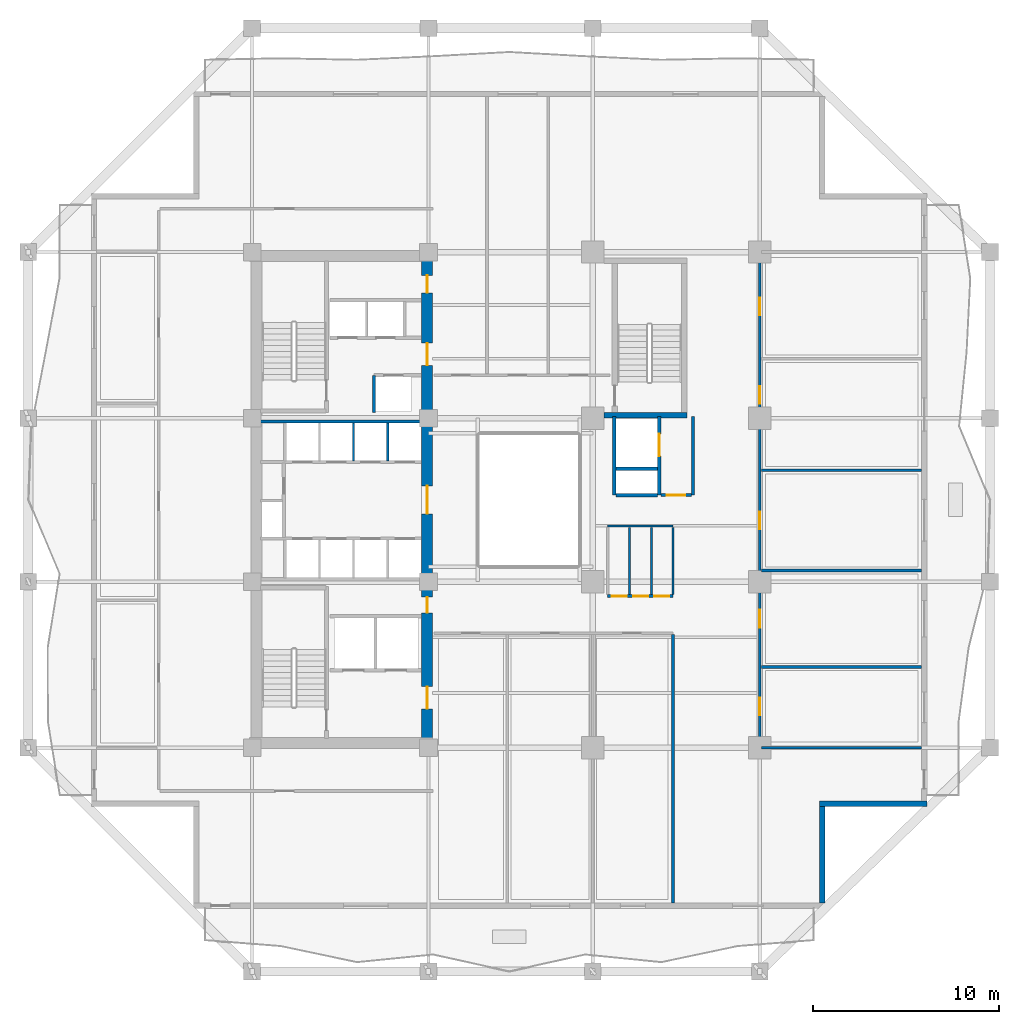
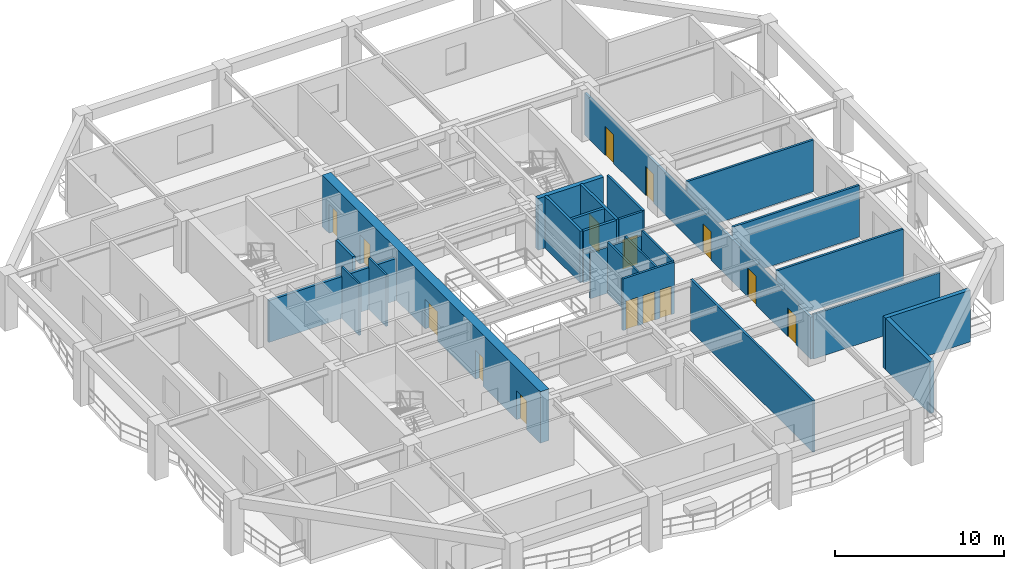
# One storey, part 4 of 13: 25 walls, 15 doors, 15 openings.
"""IFC4 building model written with IfcOpenShell, lengths in metres."""

from ifc_helpers import new_model, si_unit, direction, frame, frame_2d, origin, place, context, subcontext, project, spatial, rectangle, extrude, material, layer, layer_set, type_object, element, fill, save


model = new_model("IFC4")

# Units and contexts
model_context = context("Model", 3, precision=1e-05, world=origin(), true_north=direction((0.0, 1.0)))
body_context = subcontext(model_context, "Body", "Model", "MODEL_VIEW")
ifc_project = project(units=[si_unit("LENGTHUNIT", "METRE"), si_unit("AREAUNIT", "SQUARE_METRE"), si_unit("VOLUMEUNIT", "CUBIC_METRE"), si_unit("PLANEANGLEUNIT", "RADIAN"), si_unit("MASSUNIT", "GRAM", prefix="KILO")], contexts=[model_context])

# Site, building, storey
site_placement = place(None, origin())
site = spatial("IfcSite", under=ifc_project, at=site_placement, CompositionType="ELEMENT")
building_placement = place(site_placement, origin())
building = spatial("IfcBuilding", under=site, at=building_placement, Name="Kundavana Baori Tower", CompositionType="ELEMENT")
storey_placement = place(building_placement, frame((0.0, 0.0, 54.0)))
storey = spatial("IfcBuildingStorey", under=building, at=storey_placement, Name="L12", CompositionType="ELEMENT", Elevation=54.0)

# Wall, openings, doors
ifc_material_1 = material(Name="Concrete C60/75", Category="concrete")
ifc_layer_1 = layer(ifc_material_1, 0.60009765625, Name="WL-CORE-600")
ifc_layer_set_1 = layer_set([ifc_layer_1], Name="Concrete C60/75")
wall_type_1 = type_object("IfcWallType", Name="WL-CORE-600", PredefinedType="SHEAR", material=ifc_layer_set_1)
wall_1_placement = place(storey_placement, frame((24.8798828125, 15.739990234375, 0.0), z_axis=(0.0, 0.0, 1.0), x_axis=(0.0, 1.0, 0.0)))
wall_1 = element("IfcWall", 1, at=wall_1_placement, inside=storey, type_object=wall_type_1, Name="L12 Offset Core East Shear Wall", PredefinedType="SHEAR", context=body_context, shape_type="SweptSolid", body=[
    extrude(rectangle(XDim=25.760009765625, YDim=0.60009765625, at=frame_2d((12.8798828125, 0.0))), origin(), (0.0, 0.0, 1.0), 3.719970703125),
])
opening_1_placement = place(wall_1_placement, frame((1.610107421875, 0.0, 0.0)))
opening_1 = element("IfcOpeningElement", 2, at=opening_1_placement, cuts=wall_1, Name="Opening FD-120", PredefinedType="OPENING", context=body_context, shape_type="SweptSolid", body=[
    extrude(rectangle(XDim=1.199951171875, YDim=2.10009765625, at=frame_2d((0.60009765625, 1.050048828125))), frame((0.0, 0.31005859375, 0.0), z_axis=(0.0, -1.0, 0.0), x_axis=(1.0, 0.0, 0.0)), (0.0, 0.0, 1.0), 0.6201171875),
])
opening_2_placement = place(wall_1_placement, frame((6.780029296875, 0.0, 0.0)))
opening_2 = element("IfcOpeningElement", 3, at=opening_2_placement, cuts=wall_1, Name="Opening FD-085", PredefinedType="OPENING", context=body_context, shape_type="SweptSolid", body=[
    extrude(rectangle(XDim=0.85009765625, YDim=2.06005859375, at=frame_2d((0.425048828125, 1.030029296875))), frame((0.0, 0.31005859375, 0.0), z_axis=(0.0, -1.0, 0.0), x_axis=(1.0, 0.0, 0.0)), (0.0, 0.0, 1.0), 0.6201171875),
])
opening_3_placement = place(wall_1_placement, frame((12.110107421875, 0.0, 0.0)))
opening_3 = element("IfcOpeningElement", 4, at=opening_3_placement, cuts=wall_1, Name="Opening FD-150", PredefinedType="OPENING", context=body_context, shape_type="SweptSolid", body=[
    extrude(rectangle(XDim=1.5, YDim=2.1201171875, at=frame_2d((0.75, 1.06005859375))), frame((0.0, 0.31005859375, 0.0), z_axis=(0.0, -1.0, 0.0), x_axis=(1.0, 0.0, 0.0)), (0.0, 0.0, 1.0), 0.6201171875),
])
opening_4_placement = place(wall_1_placement, frame((20.110107421875, 0.0, 0.0)))
opening_4 = element("IfcOpeningElement", 5, at=opening_4_placement, cuts=wall_1, Name="Opening FD-122", PredefinedType="OPENING", context=body_context, shape_type="SweptSolid", body=[
    extrude(rectangle(XDim=1.199951171875, YDim=2.1201171875, at=frame_2d((0.60009765625, 1.06005859375))), frame((0.0, 0.31005859375, 0.0), z_axis=(0.0, -1.0, 0.0), x_axis=(1.0, 0.0, 0.0)), (0.0, 0.0, 1.0), 0.6201171875),
])
opening_5_placement = place(wall_1_placement, frame((24.010009765625, 0.0, 0.0)))
opening_5 = element("IfcOpeningElement", 6, at=opening_5_placement, cuts=wall_1, Name="Opening FD-095", PredefinedType="OPENING", context=body_context, shape_type="SweptSolid", body=[
    extrude(rectangle(XDim=0.949951171875, YDim=2.10009765625, at=frame_2d((0.47509765625, 1.050048828125))), frame((0.0, 0.31005859375, 0.0), z_axis=(0.0, -1.0, 0.0), x_axis=(1.0, 0.0, 0.0)), (0.0, 0.0, 1.0), 0.6201171875),
])
ifc_material_2 = material(Name="Galvanised Steel Fire-Rated Door Leaf", Category="steel")
door_type_1 = type_object("IfcDoorType", Name="DR-FD120-1200", OperationType="NOTDEFINED", PredefinedType="DOOR", material=ifc_material_2)
door_1_placement = place(opening_1_placement, frame((1.199951171875, 0.0, 0.0), z_axis=(0.0, 0.0, 1.0), x_axis=(-1.0, 0.0, 0.0)))
door_1 = element("IfcDoor", 7, at=door_1_placement, inside=storey, type_object=door_type_1, Name="DR-L12-FFLOB-E", OperationType="SINGLE_SWING_RIGHT", OverallHeight=2.10009765625, OverallWidth=1.199951171875, PredefinedType="DOOR", context=body_context, shape_type="SweptSolid", body=[
    extrude(rectangle(XDim=1.199951171875, YDim=2.10009765625, at=frame_2d((0.60009765625, 1.050048828125))), frame((0.0, 0.02490234375, 0.0), z_axis=(0.0, -1.0, 0.0), x_axis=(1.0, 0.0, 0.0)), (0.0, 0.0, 1.0), 0.050048828125),
])
fill(opening_1, door_1)
ifc_material_3 = material(Name="Galvanised Steel Fire-Rated Door Leaf", Category="steel")
door_type_2 = type_object("IfcDoorType", Name="DR-FD60-1200", OperationType="NOTDEFINED", PredefinedType="DOOR", material=ifc_material_3)
door_2_placement = place(opening_4_placement, frame((1.199951171875, 0.0, 0.0), z_axis=(0.0, 0.0, 1.0), x_axis=(-1.0, 0.0, 0.0)))
door_2 = element("IfcDoor", 8, at=door_2_placement, inside=storey, type_object=door_type_2, Name="DR-L12-HRLOB-E", OperationType="SINGLE_SWING_RIGHT", OverallHeight=2.1201171875, OverallWidth=1.199951171875, PredefinedType="DOOR", context=body_context, shape_type="SweptSolid", body=[
    extrude(rectangle(XDim=1.199951171875, YDim=2.1201171875, at=frame_2d((0.60009765625, 1.06005859375))), frame((0.0, 0.02490234375, 0.0), z_axis=(0.0, -1.0, 0.0), x_axis=(1.0, 0.0, 0.0)), (0.0, 0.0, 1.0), 0.050048828125),
])
fill(opening_4, door_2)
ifc_material_4 = material(Name="Galvanised Steel Fire-Rated Door Leaf", Category="steel")
door_type_3 = type_object("IfcDoorType", Name="DR-FD60-1500", OperationType="NOTDEFINED", PredefinedType="DOOR", material=ifc_material_4)
door_3_placement = place(opening_3_placement, frame((1.5, 0.0, 0.0), z_axis=(0.0, 0.0, 1.0), x_axis=(-1.0, 0.0, 0.0)))
door_3 = element("IfcDoor", 9, at=door_3_placement, inside=storey, type_object=door_type_3, Name="DR-L12-LIFTHALL-E", OperationType="SINGLE_SWING_LEFT", OverallHeight=2.1201171875, OverallWidth=1.5, PredefinedType="DOOR", context=body_context, shape_type="SweptSolid", body=[
    extrude(rectangle(XDim=1.5, YDim=2.1201171875, at=frame_2d((0.75, 1.06005859375))), frame((0.0, 0.02490234375, 0.0), z_axis=(0.0, -1.0, 0.0), x_axis=(1.0, 0.0, 0.0)), (0.0, 0.0, 1.0), 0.050048828125),
])
fill(opening_3, door_3)
ifc_material_5 = material(Name="Galvanised Steel Fire-Rated Door Leaf", Category="steel")
door_type_4 = type_object("IfcDoorType", Name="DR-FD60-850", OperationType="NOTDEFINED", PredefinedType="DOOR", material=ifc_material_5)
door_4_placement = place(opening_2_placement, frame((0.85009765625, 0.0, 0.0), z_axis=(0.0, 0.0, 1.0), x_axis=(-1.0, 0.0, 0.0)))
door_4 = element("IfcDoor", 10, at=door_4_placement, inside=storey, type_object=door_type_4, Name="DR-L12-CSMK1", OperationType="SINGLE_SWING_LEFT", OverallHeight=2.06005859375, OverallWidth=0.85009765625, PredefinedType="DOOR", context=body_context, shape_type="SweptSolid", body=[
    extrude(rectangle(XDim=0.85009765625, YDim=2.06005859375, at=frame_2d((0.425048828125, 1.030029296875))), frame((0.0, 0.02490234375, 0.0), z_axis=(0.0, -1.0, 0.0), x_axis=(1.0, 0.0, 0.0)), (0.0, 0.0, 1.0), 0.050048828125),
])
fill(opening_2, door_4)
ifc_material_6 = material(Name="Engineered Teak Fire-Rated Timber Door Leaf", Category="wood")
door_type_5 = type_object("IfcDoorType", Name="DR-FD60-950", OperationType="NOTDEFINED", PredefinedType="DOOR", material=ifc_material_6)
door_5_placement = place(opening_5_placement, frame((0.949951171875, 0.0, 0.0), z_axis=(0.0, 0.0, 1.0), x_axis=(-1.0, 0.0, 0.0)))
door_5 = element("IfcDoor", 11, at=door_5_placement, inside=storey, type_object=door_type_5, Name="DR-L12-CSRV1", OperationType="SINGLE_SWING_LEFT", OverallHeight=2.10009765625, OverallWidth=0.949951171875, PredefinedType="DOOR", context=body_context, shape_type="SweptSolid", body=[
    extrude(rectangle(XDim=0.949951171875, YDim=2.10009765625, at=frame_2d((0.47509765625, 1.050048828125))), frame((0.0, 0.02490234375, 0.0), z_axis=(0.0, -1.0, 0.0), x_axis=(1.0, 0.0, 0.0)), (0.0, 0.0, 1.0), 0.050048828125),
])
fill(opening_5, door_5)

# Walls
ifc_material_7 = material(Name="Red-Buff Dholpur Sandstone Cladding on Concrete C40/50", Category="masonry")
ifc_layer_2 = layer(ifc_material_7, 0.280029296875, Name="WL-EXT-SAND-280")
ifc_layer_set_2 = layer_set([ifc_layer_2], Name="Red-Buff Dholpur Sandstone Cladding on Concrete C40/50")
wall_type_2 = type_object("IfcWallType", Name="WL-EXT-SAND-280", PredefinedType="STANDARD", material=ifc_layer_set_2)
wall_2_placement = place(storey_placement, frame((46.159912109375, 6.8798828125, 0.0), z_axis=(0.0, 0.0, 1.0), x_axis=(0.0, 1.0, 0.0)))
element("IfcWall", 12, at=wall_2_placement, inside=storey, type_object=wall_type_2, Name="L12 Exterior Insulated Facade Wall 02", PredefinedType="STANDARD", context=body_context, shape_type="SweptSolid", body=[
    extrude(rectangle(XDim=5.22021484375, YDim=0.280029296875, at=frame_2d((2.610107421875, 0.0))), origin(), (0.0, 0.0, 1.0), 3.719970703125),
])
wall_3_placement = place(storey_placement, frame((46.02001953125, 12.239990234375, 0.0), z_axis=(0.0, 0.0, 1.0), x_axis=(1.0, 0.0, 0.0)))
element("IfcWall", 13, at=wall_3_placement, inside=storey, type_object=wall_type_2, Name="L12 Exterior Insulated Facade Wall 03", PredefinedType="STANDARD", context=body_context, shape_type="SweptSolid", body=[
    extrude(rectangle(XDim=5.780029296875, YDim=0.280029296875, at=frame_2d((2.89013671875, 0.0))), origin(), (0.0, 0.0, 1.0), 3.719970703125),
])
ifc_material_8 = material(Name="Acoustic Gypsum Plasterboard on Galvanised Steel Studs", Category="steel")
ifc_layer_3 = layer(ifc_material_8, 0.1201171875, Name="WL-PART-120")
ifc_layer_set_3 = layer_set([ifc_layer_3], Name="Acoustic Gypsum Plasterboard on Galvanised Steel Studs")
wall_type_3 = type_object("IfcWallType", Name="WL-PART-120", PredefinedType="PARTITIONING", material=ifc_layer_set_3)
for number, where, z_axis, x_axis, name in (
    (14, (20.919921875, 30.699951171875, 0.0), (0.0, 0.0, 1.0), (0.0, 1.0, 0.0), "WL-L12-LPMID-D2"),
    (15, (22.760009765625, 30.699951171875, 0.0), (0.0, 0.0, 1.0), (0.0, 1.0, 0.0), "WL-L12-LPMID-D3"),
):
    element("IfcWall", number, at=place(storey_placement, frame(where, z_axis=z_axis, x_axis=x_axis)), inside=storey, type_object=wall_type_3, Name=name, PredefinedType="PARTITIONING", context=body_context, shape_type="SweptSolid", body=[
        extrude(rectangle(XDim=2.050048828125, YDim=0.1201171875, at=frame_2d((1.02490234375, 0.0))), origin(), (0.0, 0.0, 1.0), 3.719970703125),
    ])
ifc_material_9 = material(Name="Fire-Rated Gypsum Drywall on Galvanised Steel Studs", Category="steel")
ifc_layer_4 = layer(ifc_material_9, 0.14990234375, Name="WL-PART-150")
ifc_layer_set_4 = layer_set([ifc_layer_4], Name="Fire-Rated Gypsum Drywall on Galvanised Steel Studs")
wall_type_4 = type_object("IfcWallType", Name="WL-PART-150", PredefinedType="PARTITIONING", material=ifc_layer_set_4)
wall_4_placement = place(storey_placement, frame((39.199951171875, 28.860107421875, 0.0), z_axis=(0.0, 0.0, 1.0), x_axis=(0.0, 1.0, 0.0)))
element("IfcWall", 16, at=wall_4_placement, inside=storey, type_object=wall_type_4, Name="WL-L12-SVLOB-E", PredefinedType="PARTITIONING", context=body_context, shape_type="SweptSolid", body=[
    extrude(rectangle(XDim=4.219970703125, YDim=0.14990234375, at=frame_2d((2.10986328125, 0.0))), origin(), (0.0, 0.0, 1.0), 3.719970703125),
])

# Wall, opening, door
wall_5_placement = place(storey_placement, frame((37.47998046875, 28.860107421875, 0.0), z_axis=(0.0, 0.0, 1.0), x_axis=(1.0, 0.0, 0.0)))
wall_5 = element("IfcWall", 17, at=wall_5_placement, inside=storey, type_object=wall_type_4, Name="WL-L12-SVLOB-S", PredefinedType="PARTITIONING", context=body_context, shape_type="SweptSolid", body=[
    extrude(rectangle(XDim=1.64013671875, YDim=0.14990234375, at=frame_2d((0.820068359375, 0.0))), origin(), (0.0, 0.0, 1.0), 3.719970703125),
])
opening_6_placement = place(wall_5_placement, frame((0.300048828125, 0.0, 0.0)))
opening_6 = element("IfcOpeningElement", 18, at=opening_6_placement, cuts=wall_5, Name="Opening FD-100", PredefinedType="OPENING", context=body_context, shape_type="SweptSolid", body=[
    extrude(rectangle(XDim=1.0, YDim=2.10009765625, at=frame_2d((0.5, 1.050048828125))), frame((0.0, 0.0849609375, 0.0), z_axis=(0.0, -1.0, 0.0), x_axis=(1.0, 0.0, 0.0)), (0.0, 0.0, 1.0), 0.169921875),
])
ifc_material_10 = material(Name="Engineered Teak Fire-Rated Timber Door Leaf", Category="wood")
door_type_6 = type_object("IfcDoorType", Name="DR-FD60-1000", OperationType="NOTDEFINED", PredefinedType="DOOR", material=ifc_material_10)
door_6_placement = place(opening_6_placement, origin())
door_6 = element("IfcDoor", 19, at=door_6_placement, inside=storey, type_object=door_type_6, Name="DR-L12-SVLOB-OUT", OperationType="SINGLE_SWING_LEFT", OverallHeight=2.10009765625, OverallWidth=1.0, PredefinedType="DOOR", context=body_context, shape_type="SweptSolid", body=[
    extrude(rectangle(XDim=1.0, YDim=2.10009765625, at=frame_2d((0.5, 1.050048828125))), frame((0.0, 0.02490234375, 0.0), z_axis=(0.0, -1.0, 0.0), x_axis=(1.0, 0.0, 0.0)), (0.0, 0.0, 1.0), 0.050048828125),
])
fill(opening_6, door_6)

# Wall
wall_6_placement = place(storey_placement, frame((38.1201171875, 6.8798828125, 0.0), z_axis=(0.0, 0.0, 1.0), x_axis=(0.0, 1.0, 0.0)))
element("IfcWall", 20, at=wall_6_placement, inside=storey, type_object=wall_type_4, Name="WL-L12-OFSEND", PredefinedType="PARTITIONING", context=body_context, shape_type="SweptSolid", body=[
    extrude(rectangle(XDim=14.460205078125, YDim=0.14990234375, at=frame_2d((7.22998046875, 0.0))), origin(), (0.0, 0.0, 1.0), 3.719970703125),
])

# Wall, openings, doors
wall_7_placement = place(storey_placement, frame((34.60009765625, 23.419921875, 0.0), z_axis=(0.0, 0.0, 1.0), x_axis=(1.0, 0.0, 0.0)))
wall_7 = element("IfcWall", 21, at=wall_7_placement, inside=storey, type_object=wall_type_4, Name="WL-L12-OFST", PredefinedType="PARTITIONING", context=body_context, shape_type="SweptSolid", body=[
    extrude(rectangle(XDim=3.52001953125, YDim=0.14990234375, at=frame_2d((1.760009765625, 0.0))), origin(), (0.0, 0.0, 1.0), 3.719970703125),
])
opening_7_placement = place(wall_7_placement, frame((0.219970703125, 0.0, 0.0)))
opening_7 = element("IfcOpeningElement", 22, at=opening_7_placement, cuts=wall_7, Name="Opening WD-080", PredefinedType="OPENING", context=body_context, shape_type="SweptSolid", body=[
    extrude(rectangle(XDim=0.800048828125, YDim=2.050048828125, at=frame_2d((0.39990234375, 1.02490234375))), frame((0.0, 0.0849609375, 0.0), z_axis=(0.0, -1.0, 0.0), x_axis=(1.0, 0.0, 0.0)), (0.0, 0.0, 1.0), 0.169921875),
])
opening_8_placement = place(wall_7_placement, frame((1.3798828125, 0.0, 0.0)))
opening_8 = element("IfcOpeningElement", 23, at=opening_8_placement, cuts=wall_7, Name="Opening WD-080", PredefinedType="OPENING", context=body_context, shape_type="SweptSolid", body=[
    extrude(rectangle(XDim=0.800048828125, YDim=2.050048828125, at=frame_2d((0.39990234375, 1.02490234375))), frame((0.0, 0.0849609375, 0.0), z_axis=(0.0, -1.0, 0.0), x_axis=(1.0, 0.0, 0.0)), (0.0, 0.0, 1.0), 0.169921875),
])
opening_9_placement = place(wall_7_placement, frame((2.52001953125, 0.0, 0.0)))
opening_9 = element("IfcOpeningElement", 24, at=opening_9_placement, cuts=wall_7, Name="Opening WD-080", PredefinedType="OPENING", context=body_context, shape_type="SweptSolid", body=[
    extrude(rectangle(XDim=0.800048828125, YDim=2.050048828125, at=frame_2d((0.39990234375, 1.02490234375))), frame((0.0, 0.0849609375, 0.0), z_axis=(0.0, -1.0, 0.0), x_axis=(1.0, 0.0, 0.0)), (0.0, 0.0, 1.0), 0.169921875),
])
ifc_material_11 = material(Name="Engineered Teak Solid-Core Timber Veneer", Category="wood")
door_type_7 = type_object("IfcDoorType", Name="DR-WET-800", OperationType="NOTDEFINED", PredefinedType="DOOR", material=ifc_material_11)
door_7_placement = place(opening_7_placement, origin())
door_7 = element("IfcDoor", 25, at=door_7_placement, inside=storey, type_object=door_type_7, Name="DR-L12-WCM", OperationType="SINGLE_SWING_LEFT", OverallHeight=2.050048828125, OverallWidth=0.800048828125, PredefinedType="DOOR", context=body_context, shape_type="SweptSolid", body=[
    extrude(rectangle(XDim=0.800048828125, YDim=2.050048828125, at=frame_2d((0.39990234375, 1.02490234375))), frame((0.0, 0.02490234375, 0.0), z_axis=(0.0, -1.0, 0.0), x_axis=(1.0, 0.0, 0.0)), (0.0, 0.0, 1.0), 0.050048828125),
])
fill(opening_7, door_7)
door_8_placement = place(opening_8_placement, origin())
door_8 = element("IfcDoor", 26, at=door_8_placement, inside=storey, type_object=door_type_7, Name="DR-L12-WCA", OperationType="SINGLE_SWING_RIGHT", OverallHeight=2.050048828125, OverallWidth=0.800048828125, PredefinedType="DOOR", context=body_context, shape_type="SweptSolid", body=[
    extrude(rectangle(XDim=0.800048828125, YDim=2.050048828125, at=frame_2d((0.39990234375, 1.02490234375))), frame((0.0, 0.02490234375, 0.0), z_axis=(0.0, -1.0, 0.0), x_axis=(1.0, 0.0, 0.0)), (0.0, 0.0, 1.0), 0.050048828125),
])
fill(opening_8, door_8)
door_9_placement = place(opening_9_placement, origin())
door_9 = element("IfcDoor", 27, at=door_9_placement, inside=storey, type_object=door_type_7, Name="DR-L12-PNT", OperationType="SINGLE_SWING_LEFT", OverallHeight=2.050048828125, OverallWidth=0.800048828125, PredefinedType="DOOR", context=body_context, shape_type="SweptSolid", body=[
    extrude(rectangle(XDim=0.800048828125, YDim=2.050048828125, at=frame_2d((0.39990234375, 1.02490234375))), frame((0.0, 0.02490234375, 0.0), z_axis=(0.0, -1.0, 0.0), x_axis=(1.0, 0.0, 0.0)), (0.0, 0.0, 1.0), 0.050048828125),
])
fill(opening_9, door_9)

wall_8_placement = place(storey_placement, frame((42.800048828125, 15.25, 0.0), z_axis=(0.0, 0.0, 1.0), x_axis=(0.0, 1.0, 0.0)))
wall_8 = element("IfcWall", 28, at=wall_8_placement, inside=storey, type_object=wall_type_4, Name="WL-L12-OFE", PredefinedType="PARTITIONING", context=body_context, shape_type="SweptSolid", body=[
    extrude(rectangle(XDim=26.699951171875, YDim=0.14990234375, at=frame_2d((13.35009765625, 0.0))), origin(), (0.0, 0.0, 1.0), 3.02001953125),
])
opening_10_placement = place(wall_8_placement, frame((1.75, 0.0, 0.0)))
opening_10 = element("IfcOpeningElement", 29, at=opening_10_placement, cuts=wall_8, Name="Opening ID-095", PredefinedType="OPENING", context=body_context, shape_type="SweptSolid", body=[
    extrude(rectangle(XDim=0.949951171875, YDim=2.080078125, at=frame_2d((0.47509765625, 1.0400390625))), frame((0.0, 0.0849609375, 0.0), z_axis=(0.0, -1.0, 0.0), x_axis=(1.0, 0.0, 0.0)), (0.0, 0.0, 1.0), 0.169921875),
])
opening_11_placement = place(wall_8_placement, frame((6.47509765625, 0.0, 0.0)))
opening_11 = element("IfcOpeningElement", 30, at=opening_11_placement, cuts=wall_8, Name="Opening ID-095", PredefinedType="OPENING", context=body_context, shape_type="SweptSolid", body=[
    extrude(rectangle(XDim=0.949951171875, YDim=2.080078125, at=frame_2d((0.47509765625, 1.0400390625))), frame((0.0, 0.0849609375, 0.0), z_axis=(0.0, -1.0, 0.0), x_axis=(1.0, 0.0, 0.0)), (0.0, 0.0, 1.0), 0.169921875),
])
opening_12_placement = place(wall_8_placement, frame((11.77490234375, 0.0, 0.0)))
opening_12 = element("IfcOpeningElement", 31, at=opening_12_placement, cuts=wall_8, Name="Opening ID-095", PredefinedType="OPENING", context=body_context, shape_type="SweptSolid", body=[
    extrude(rectangle(XDim=0.949951171875, YDim=2.080078125, at=frame_2d((0.47509765625, 1.0400390625))), frame((0.0, 0.0849609375, 0.0), z_axis=(0.0, -1.0, 0.0), x_axis=(1.0, 0.0, 0.0)), (0.0, 0.0, 1.0), 0.169921875),
])
opening_13_placement = place(wall_8_placement, frame((18.52490234375, 0.0, 0.0)))
opening_13 = element("IfcOpeningElement", 32, at=opening_13_placement, cuts=wall_8, Name="Opening ID-095", PredefinedType="OPENING", context=body_context, shape_type="SweptSolid", body=[
    extrude(rectangle(XDim=0.949951171875, YDim=2.080078125, at=frame_2d((0.47509765625, 1.0400390625))), frame((0.0, 0.0849609375, 0.0), z_axis=(0.0, -1.0, 0.0), x_axis=(1.0, 0.0, 0.0)), (0.0, 0.0, 1.0), 0.169921875),
])
opening_14_placement = place(wall_8_placement, frame((23.300048828125, 0.0, 0.0)))
opening_14 = element("IfcOpeningElement", 33, at=opening_14_placement, cuts=wall_8, Name="Opening ID-095", PredefinedType="OPENING", context=body_context, shape_type="SweptSolid", body=[
    extrude(rectangle(XDim=0.949951171875, YDim=2.080078125, at=frame_2d((0.47509765625, 1.0400390625))), frame((0.0, 0.0849609375, 0.0), z_axis=(0.0, -1.0, 0.0), x_axis=(1.0, 0.0, 0.0)), (0.0, 0.0, 1.0), 0.169921875),
])
ifc_material_12 = material(Name="Engineered Teak Solid-Core Timber Veneer", Category="wood")
door_type_8 = type_object("IfcDoorType", Name="DR-INT-950", OperationType="NOTDEFINED", PredefinedType="DOOR", material=ifc_material_12)
door_10_placement = place(opening_10_placement, origin())
door_10 = element("IfcDoor", 34, at=door_10_placement, inside=storey, type_object=door_type_8, Name="DR-L12-OFE1", OperationType="SINGLE_SWING_RIGHT", OverallHeight=2.080078125, OverallWidth=0.949951171875, PredefinedType="DOOR", context=body_context, shape_type="SweptSolid", body=[
    extrude(rectangle(XDim=0.949951171875, YDim=2.080078125, at=frame_2d((0.47509765625, 1.0400390625))), frame((0.0, 0.02490234375, 0.0), z_axis=(0.0, -1.0, 0.0), x_axis=(1.0, 0.0, 0.0)), (0.0, 0.0, 1.0), 0.050048828125),
])
fill(opening_10, door_10)
door_11_placement = place(opening_11_placement, origin())
door_11 = element("IfcDoor", 35, at=door_11_placement, inside=storey, type_object=door_type_8, Name="DR-L12-OFE2", OperationType="SINGLE_SWING_LEFT", OverallHeight=2.080078125, OverallWidth=0.949951171875, PredefinedType="DOOR", context=body_context, shape_type="SweptSolid", body=[
    extrude(rectangle(XDim=0.949951171875, YDim=2.080078125, at=frame_2d((0.47509765625, 1.0400390625))), frame((0.0, 0.02490234375, 0.0), z_axis=(0.0, -1.0, 0.0), x_axis=(1.0, 0.0, 0.0)), (0.0, 0.0, 1.0), 0.050048828125),
])
fill(opening_11, door_11)
door_12_placement = place(opening_12_placement, origin())
door_12 = element("IfcDoor", 36, at=door_12_placement, inside=storey, type_object=door_type_8, Name="DR-L12-OFE3", OperationType="SINGLE_SWING_RIGHT", OverallHeight=2.080078125, OverallWidth=0.949951171875, PredefinedType="DOOR", context=body_context, shape_type="SweptSolid", body=[
    extrude(rectangle(XDim=0.949951171875, YDim=2.080078125, at=frame_2d((0.47509765625, 1.0400390625))), frame((0.0, 0.02490234375, 0.0), z_axis=(0.0, -1.0, 0.0), x_axis=(1.0, 0.0, 0.0)), (0.0, 0.0, 1.0), 0.050048828125),
])
fill(opening_12, door_12)
door_13_placement = place(opening_13_placement, origin())
door_13 = element("IfcDoor", 37, at=door_13_placement, inside=storey, type_object=door_type_8, Name="DR-L12-OFE4", OperationType="SINGLE_SWING_LEFT", OverallHeight=2.080078125, OverallWidth=0.949951171875, PredefinedType="DOOR", context=body_context, shape_type="SweptSolid", body=[
    extrude(rectangle(XDim=0.949951171875, YDim=2.080078125, at=frame_2d((0.47509765625, 1.0400390625))), frame((0.0, 0.02490234375, 0.0), z_axis=(0.0, -1.0, 0.0), x_axis=(1.0, 0.0, 0.0)), (0.0, 0.0, 1.0), 0.050048828125),
])
fill(opening_13, door_13)
door_14_placement = place(opening_14_placement, origin())
door_14 = element("IfcDoor", 38, at=door_14_placement, inside=storey, type_object=door_type_8, Name="DR-L12-OFE5", OperationType="SINGLE_SWING_RIGHT", OverallHeight=2.080078125, OverallWidth=0.949951171875, PredefinedType="DOOR", context=body_context, shape_type="SweptSolid", body=[
    extrude(rectangle(XDim=0.949951171875, YDim=2.080078125, at=frame_2d((0.47509765625, 1.0400390625))), frame((0.0, 0.02490234375, 0.0), z_axis=(0.0, -1.0, 0.0), x_axis=(1.0, 0.0, 0.0)), (0.0, 0.0, 1.0), 0.050048828125),
])
fill(opening_14, door_14)

# Walls
wall_9_placement = place(storey_placement, frame((42.8798828125, 15.25, 0.0), z_axis=(0.0, 0.0, 1.0), x_axis=(1.0, 0.0, 0.0)))
element("IfcWall", 39, at=wall_9_placement, inside=storey, type_object=wall_type_4, Name="WL-L12-OFES", PredefinedType="PARTITIONING", context=body_context, shape_type="SweptSolid", body=[
    extrude(rectangle(XDim=8.64013671875, YDim=0.14990234375, at=frame_2d((4.320068359375, 0.0))), origin(), (0.0, 0.0, 1.0), 3.219970703125),
])
for number, where, z_axis, x_axis, name in (
    (40, (42.8798828125, 19.60009765625, 0.0), (0.0, 0.0, 1.0), (1.0, 0.0, 0.0), "WL-L12-ED1"),
    (41, (42.8798828125, 24.800048828125, 0.0), (0.0, 0.0, 1.0), (1.0, 0.0, 0.0), "WL-L12-ED2"),
    (42, (42.8798828125, 30.199951171875, 0.0), (0.0, 0.0, 1.0), (1.0, 0.0, 0.0), "WL-L12-ED3"),
):
    element("IfcWall", number, at=place(storey_placement, frame(where, z_axis=z_axis, x_axis=x_axis)), inside=storey, type_object=wall_type_4, Name=name, PredefinedType="PARTITIONING", context=body_context, shape_type="SweptSolid", body=[
        extrude(rectangle(XDim=8.64013671875, YDim=0.14990234375, at=frame_2d((4.320068359375, 0.0))), origin(), (0.0, 0.0, 1.0), 3.719970703125),
    ])
ifc_material_13 = material(Name="Autoclaved Aerated Concrete Blockwork Masonry", Category="masonry")
ifc_layer_5 = layer(ifc_material_13, 0.179931640625, Name="WL-SHAFT-180")
ifc_layer_set_5 = layer_set([ifc_layer_5], Name="Autoclaved Aerated Concrete Blockwork Masonry")
wall_type_5 = type_object("IfcWallType", Name="WL-SHAFT-180", PredefinedType="SOLIDWALL", material=ifc_layer_set_5)
wall_10_placement = place(storey_placement, frame((15.89990234375, 32.820068359375, 0.0), z_axis=(0.0, 0.0, 1.0), x_axis=(1.0, 0.0, 0.0)))
element("IfcWall", 43, at=wall_10_placement, inside=storey, type_object=wall_type_5, Name="WL-L12-LPMID-N", PredefinedType="SOLIDWALL", context=body_context, shape_type="SweptSolid", body=[
    extrude(rectangle(XDim=8.68017578125, YDim=0.179931640625, at=frame_2d((4.340087890625, 0.0))), origin(), (0.0, 0.0, 1.0), 3.02001953125),
])
wall_11_placement = place(storey_placement, frame((22.02001953125, 33.300048828125, 0.0), z_axis=(0.0, 0.0, 1.0), x_axis=(0.0, 1.0, 0.0)))
element("IfcWall", 44, at=wall_11_placement, inside=storey, type_object=wall_type_5, Name="WL-L12-LP11-W", PredefinedType="SOLIDWALL", context=body_context, shape_type="SweptSolid", body=[
    extrude(rectangle(XDim=2.010009765625, YDim=0.179931640625, at=frame_2d((1.0048828125, 0.0))), origin(), (0.0, 0.0, 1.0), 3.719970703125),
])
wall_12_placement = place(storey_placement, frame((34.9599609375, 28.860107421875, 0.0), z_axis=(0.0, 0.0, 1.0), x_axis=(0.0, 1.0, 0.0)))
element("IfcWall", 45, at=wall_12_placement, inside=storey, type_object=wall_type_5, Name="WL-L12-SVL-W", PredefinedType="SOLIDWALL", context=body_context, shape_type="SweptSolid", body=[
    extrude(rectangle(XDim=4.219970703125, YDim=0.179931640625, at=frame_2d((2.10986328125, 0.0))), origin(), (0.0, 0.0, 1.0), 3.719970703125),
])

# Wall, opening, door
wall_13_placement = place(storey_placement, frame((37.389892578125, 28.860107421875, 0.0), z_axis=(0.0, 0.0, 1.0), x_axis=(0.0, 1.0, 0.0)))
wall_13 = element("IfcWall", 46, at=wall_13_placement, inside=storey, type_object=wall_type_5, Name="WL-L12-SVL-E", PredefinedType="SOLIDWALL", context=body_context, shape_type="SweptSolid", body=[
    extrude(rectangle(XDim=4.219970703125, YDim=0.179931640625, at=frame_2d((2.10986328125, 0.0))), origin(), (0.0, 0.0, 1.0), 3.719970703125),
])
opening_15_placement = place(wall_13_placement, frame((2.10009765625, 0.0, 0.0)))
opening_15 = element("IfcOpeningElement", 47, at=opening_15_placement, cuts=wall_13, Name="Opening LD-120", PredefinedType="OPENING", context=body_context, shape_type="SweptSolid", body=[
    extrude(rectangle(XDim=1.199951171875, YDim=2.1201171875, at=frame_2d((0.60009765625, 1.06005859375))), frame((0.0, 0.10009765625, 0.0), z_axis=(0.0, -1.0, 0.0), x_axis=(1.0, 0.0, 0.0)), (0.0, 0.0, 1.0), 0.199951171875),
])
ifc_material_14 = material(Name="Galvanised Steel Fire-Rated Door Leaf", Category="steel")
door_type_9 = type_object("IfcDoorType", Name="DR-SLIDE-LD1200", OperationType="NOTDEFINED", PredefinedType="DOOR", material=ifc_material_14)
door_15_placement = place(opening_15_placement, frame((1.199951171875, 0.0, 0.0), z_axis=(0.0, 0.0, 1.0), x_axis=(-1.0, 0.0, 0.0)))
door_15 = element("IfcDoor", 48, at=door_15_placement, inside=storey, type_object=door_type_9, Name="DR-L12-LD-SVL1", OperationType="DOUBLE_DOOR_SLIDING", OverallHeight=2.1201171875, OverallWidth=1.199951171875, PredefinedType="DOOR", context=body_context, shape_type="SweptSolid", body=[
    extrude(rectangle(XDim=1.199951171875, YDim=2.1201171875, at=frame_2d((0.60009765625, 1.06005859375))), frame((0.0, 0.02490234375, 0.0), z_axis=(0.0, -1.0, 0.0), x_axis=(1.0, 0.0, 0.0)), (0.0, 0.0, 1.0), 0.050048828125),
])
fill(opening_15, door_15)

# Walls
for number, where, z_axis, x_axis, name in (
    (49, (35.050048828125, 28.860107421875, 0.0), (0.0, 0.0, 1.0), (1.0, 0.0, 0.0), "WL-L12-SVL-S"),
    (50, (35.050048828125, 30.27001953125, 0.0), (0.0, 0.0, 1.0), (1.0, 0.0, 0.0), "WL-L12-SVL-M"),
):
    element("IfcWall", number, at=place(storey_placement, frame(where, z_axis=z_axis, x_axis=x_axis)), inside=storey, type_object=wall_type_5, Name=name, PredefinedType="SOLIDWALL", context=body_context, shape_type="SweptSolid", body=[
        extrude(rectangle(XDim=2.25, YDim=0.179931640625, at=frame_2d((1.125, 0.0))), origin(), (0.0, 0.0, 1.0), 3.719970703125),
    ])
ifc_material_15 = material(Name="Concrete C50/60", Category="concrete")
ifc_layer_6 = layer(ifc_material_15, 0.300048828125, Name="WL-ST3-300")
ifc_layer_set_6 = layer_set([ifc_layer_6], Name="Concrete C50/60")
wall_type_6 = type_object("IfcWallType", Name="WL-ST3-300", PredefinedType="SHEAR", material=ifc_layer_set_6)
wall_14_placement = place(storey_placement, frame((34.39990234375, 33.159912109375, 0.0), z_axis=(0.0, 0.0, 1.0), x_axis=(1.0, 0.0, 0.0)))
element("IfcWall", 51, at=wall_14_placement, inside=storey, type_object=wall_type_6, Name="L12 Stair ST3 South Shear Wall", PredefinedType="SHEAR", context=body_context, shape_type="SweptSolid", body=[
    extrude(rectangle(XDim=4.47021484375, YDim=0.300048828125, at=frame_2d((2.235107421875, 0.0))), origin(), (0.0, 0.0, 1.0), 3.719970703125),
])
ifc_material_16 = material(Name="Autoclaved Aerated Concrete Blockwork Masonry", Category="masonry")
ifc_layer_7 = layer(ifc_material_16, 0.125, Name="WL-WET-120")
ifc_layer_set_7 = layer_set([ifc_layer_7], Name="Autoclaved Aerated Concrete Blockwork Masonry")
wall_type_7 = type_object("IfcWallType", Name="WL-WET-120", PredefinedType="PLUMBINGWALL", material=ifc_layer_set_7)
wall_15_placement = place(storey_placement, frame((34.60009765625, 27.199951171875, 0.0), z_axis=(0.0, 0.0, 1.0), x_axis=(1.0, 0.0, 0.0)))
element("IfcWall", 52, at=wall_15_placement, inside=storey, type_object=wall_type_7, Name="WL-L12-WCN", PredefinedType="PLUMBINGWALL", context=body_context, shape_type="SweptSolid", body=[
    extrude(rectangle(XDim=3.52001953125, YDim=0.125, at=frame_2d((1.760009765625, 0.0))), origin(), (0.0, 0.0, 1.0), 3.320068359375),
])
for number, where, z_axis, x_axis, name in (
    (53, (38.1201171875, 23.5, 0.0), (0.0, 0.0, 1.0), (0.0, 1.0, 0.0), "WL-L12-WCE"),
    (54, (35.780029296875, 23.5, 0.0), (0.0, 0.0, 1.0), (0.0, 1.0, 0.0), "WL-L12-WCD1"),
    (55, (36.9599609375, 23.5, 0.0), (0.0, 0.0, 1.0), (0.0, 1.0, 0.0), "WL-L12-WCD2"),
):
    element("IfcWall", number, at=place(storey_placement, frame(where, z_axis=z_axis, x_axis=x_axis)), inside=storey, type_object=wall_type_7, Name=name, PredefinedType="PLUMBINGWALL", context=body_context, shape_type="SweptSolid", body=[
        extrude(rectangle(XDim=3.6201171875, YDim=0.125, at=frame_2d((1.81005859375, 0.0))), origin(), (0.0, 0.0, 1.0), 3.719970703125),
    ])

save(model, "model.ifc")
